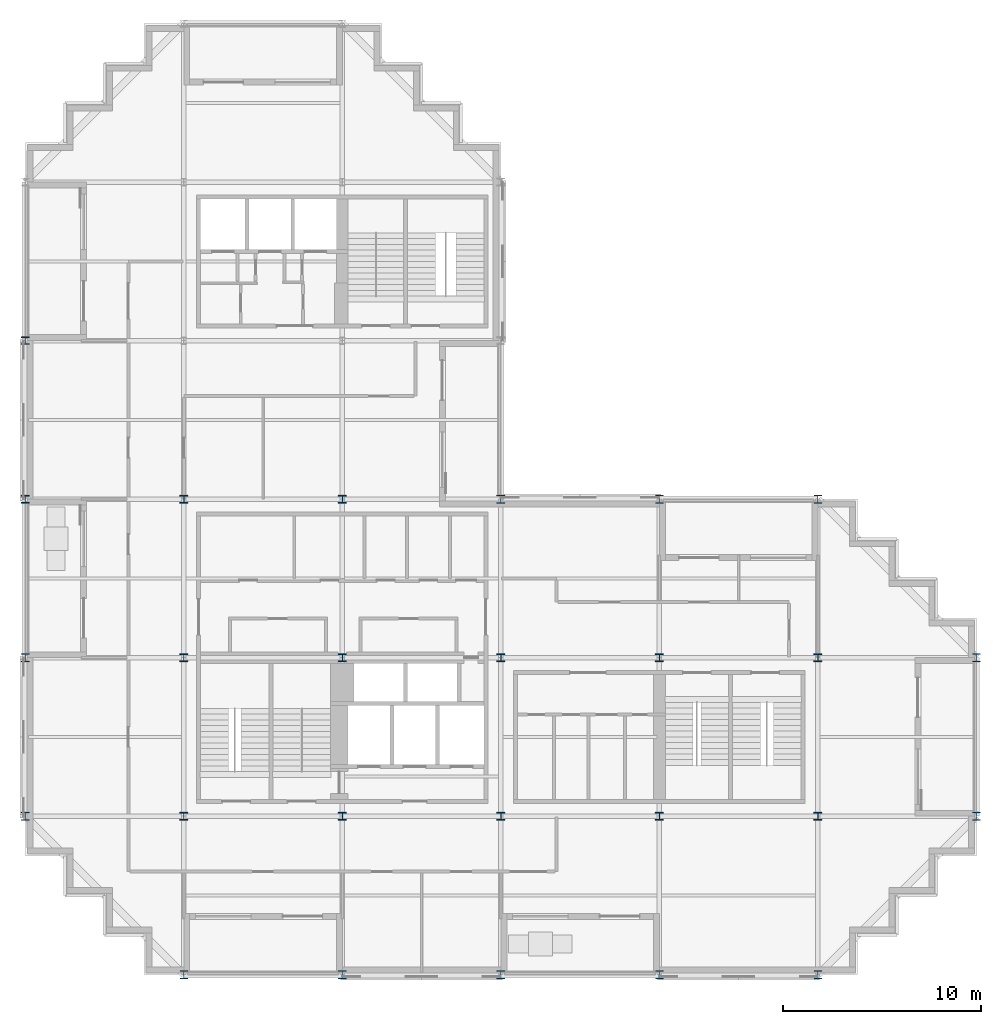
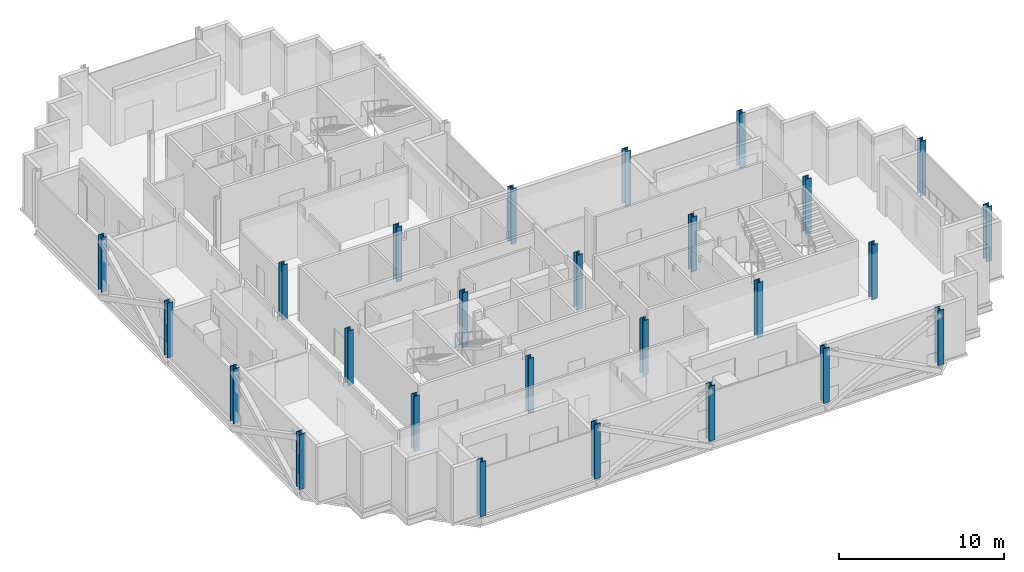
# One storey, part 1 of 11: 26 columns.
"""IFC4 building model written with IfcOpenShell, lengths in metres."""

from ifc_helpers import new_model, si_unit, direction, frame, origin, origin_2d, place, context, subcontext, project, spatial, i_section, extrude, material, material_profile, profile_set, type_object, element, save


model = new_model("IFC4")

# Units and contexts
model_context = context("Model", 3, precision=1e-05, world=origin(), true_north=direction((0.0, 1.0)))
body_context = subcontext(model_context, "Body", "Model", "MODEL_VIEW")
ifc_project = project(units=[si_unit("LENGTHUNIT", "METRE"), si_unit("AREAUNIT", "SQUARE_METRE"), si_unit("VOLUMEUNIT", "CUBIC_METRE"), si_unit("PLANEANGLEUNIT", "RADIAN"), si_unit("MASSUNIT", "GRAM", prefix="KILO")], contexts=[model_context])

# Site, building, storey
site_placement = place(None, origin())
site = spatial("IfcSite", under=ifc_project, at=site_placement, CompositionType="ELEMENT")
building_placement = place(site_placement, origin())
building = spatial("IfcBuilding", under=site, at=building_placement, Name="Immortelle Media Tower", CompositionType="ELEMENT")
storey_placement = place(building_placement, frame((0.0, 0.0, 157.800048828125)))
storey = spatial("IfcBuildingStorey", under=building, at=storey_placement, Name="L32", CompositionType="ELEMENT", Elevation=157.800048828125)

# Columns
ifc_material = material(Name="Steel ASTM A992 Gr 50", Category="steel")
ifc_material_profile_1 = material_profile(ifc_material, i_section(OverallWidth=0.39892578125, OverallDepth=0.385986328125, WebThickness=0.02099609375, FlangeThickness=0.032958984375, at=origin_2d()), Name="W14x176")
ifc_profile_set_1 = profile_set([ifc_material_profile_1], Name="Steel ASTM A992 Gr 50")
column_type_1 = type_object("IfcColumnType", Name="W14x176 column", PredefinedType="COLUMN", material=ifc_profile_set_1)
for number, where, z_axis, x_axis, name in (
    (1, (0.0, 24.0, 0.0), (0.0, 0.0, 1.0), (1.0, 0.0, 0.0), "Column 1/D"),
    (2, (0.0, 32.0, 0.0), (0.0, 0.0, 1.0), (1.0, 0.0, 0.0), "Column 1/E"),
    (3, (8.0, 8.0, 0.0), (0.0, 0.0, 1.0), (1.0, 0.0, 0.0), "Column 2/B"),
    (4, (8.0, 16.0, 0.0), (0.0, 0.0, 1.0), (1.0, 0.0, 0.0), "Column 2/C"),
    (5, (16.0, 8.0, 0.0), (0.0, 0.0, 1.0), (1.0, 0.0, 0.0), "Column 3/B"),
    (6, (16.0, 16.0, 0.0), (0.0, 0.0, 1.0), (1.0, 0.0, 0.0), "Column 3/C"),
    (7, (32.0, 8.0, 0.0), (0.0, 0.0, 1.0), (1.0, 0.0, 0.0), "Column 5/B"),
    (8, (32.0, 16.0, 0.0), (0.0, 0.0, 1.0), (1.0, 0.0, 0.0), "Column 5/C"),
    (9, (40.0, 8.0, 0.0), (0.0, 0.0, 1.0), (1.0, 0.0, 0.0), "Column 6/B"),
    (10, (40.0, 16.0, 0.0), (0.0, 0.0, 1.0), (1.0, 0.0, 0.0), "Column 6/C"),
):
    element("IfcColumn", number, at=place(storey_placement, frame(where, z_axis=z_axis, x_axis=x_axis)), inside=storey, type_object=column_type_1, Name=name, PredefinedType="COLUMN", context=body_context, shape_type="SweptSolid", body=[
        extrude(i_section(OverallWidth=0.39892578125, OverallDepth=0.385986328125, WebThickness=0.02099609375, FlangeThickness=0.032958984375, at=origin_2d()), origin(), (0.0, 0.0, 1.0), 4.050048828125),
    ])
ifc_material_profile_2 = material_profile(ifc_material, i_section(OverallWidth=0.40087890625, OverallDepth=0.39892578125, WebThickness=0.02490234375, FlangeThickness=0.0400390625, at=origin_2d()), Name="W14x211")
ifc_profile_set_2 = profile_set([ifc_material_profile_2], Name="Steel ASTM A992 Gr 50")
column_type_2 = type_object("IfcColumnType", Name="W14x211 column", PredefinedType="COLUMN", material=ifc_profile_set_2)
for number, where, z_axis, x_axis, name in (
    (11, (8.0, 24.0, 0.0), (0.0, 0.0, 1.0), (1.0, 0.0, 0.0), "Column 2/D"),
    (12, (16.0, 24.0, 0.0), (0.0, 0.0, 1.0), (1.0, 0.0, 0.0), "Column 3/D"),
    (13, (24.0, 8.0, 0.0), (0.0, 0.0, 1.0), (1.0, 0.0, 0.0), "Column 4/B"),
    (14, (24.0, 16.0, 0.0), (0.0, 0.0, 1.0), (1.0, 0.0, 0.0), "Column 4/C"),
):
    element("IfcColumn", number, at=place(storey_placement, frame(where, z_axis=z_axis, x_axis=x_axis)), inside=storey, type_object=column_type_2, Name=name, PredefinedType="COLUMN", context=body_context, shape_type="SweptSolid", body=[
        extrude(i_section(OverallWidth=0.40087890625, OverallDepth=0.39892578125, WebThickness=0.02490234375, FlangeThickness=0.0400390625, at=origin_2d()), origin(), (0.0, 0.0, 1.0), 4.050048828125),
    ])
ifc_material_profile_3 = material_profile(ifc_material, i_section(OverallWidth=0.406005859375, OverallDepth=0.4169921875, WebThickness=0.030029296875, FlangeThickness=0.048095703125, at=origin_2d()), Name="W14x257")
ifc_profile_set_3 = profile_set([ifc_material_profile_3], Name="Steel ASTM A992 Gr 50")
column_type_3 = type_object("IfcColumnType", Name="W14x257 column", PredefinedType="COLUMN", material=ifc_profile_set_3)
for number, where, z_axis, x_axis, name in (
    (15, (8.0, 0.0, 0.0), (0.0, 0.0, 1.0), (1.0, 0.0, 0.0), "Column 2/A"),
    (16, (40.0, 24.0, 0.0), (0.0, 0.0, 1.0), (1.0, 0.0, 0.0), "Column 6/D"),
    (17, (48.0, 8.0, 0.0), (0.0, 0.0, 1.0), (1.0, 0.0, 0.0), "Column 7/B"),
    (18, (48.0, 16.0, 0.0), (0.0, 0.0, 1.0), (1.0, 0.0, 0.0), "Column 7/C"),
):
    element("IfcColumn", number, at=place(storey_placement, frame(where, z_axis=z_axis, x_axis=x_axis)), inside=storey, type_object=column_type_3, Name=name, PredefinedType="COLUMN", context=body_context, shape_type="SweptSolid", body=[
        extrude(i_section(OverallWidth=0.406005859375, OverallDepth=0.4169921875, WebThickness=0.030029296875, FlangeThickness=0.048095703125, at=origin_2d()), origin(), (0.0, 0.0, 1.0), 4.050048828125),
    ])
ifc_material_profile_4 = material_profile(ifc_material, i_section(OverallWidth=0.410888671875, OverallDepth=0.43408203125, WebThickness=0.035888671875, FlangeThickness=0.056884765625, at=origin_2d()), Name="W14x311")
ifc_profile_set_4 = profile_set([ifc_material_profile_4], Name="Steel ASTM A992 Gr 50")
column_type_4 = type_object("IfcColumnType", Name="W14x311 column", PredefinedType="COLUMN", material=ifc_profile_set_4)
for number, where, z_axis, x_axis, name in (
    (19, (0.0, 8.0, 0.0), (0.0, 0.0, 1.0), (1.0, 0.0, 0.0), "Column 1/B"),
    (20, (0.0, 16.0, 0.0), (0.0, 0.0, 1.0), (1.0, 0.0, 0.0), "Column 1/C"),
    (21, (16.0, 0.0, 0.0), (0.0, 0.0, 1.0), (1.0, 0.0, 0.0), "Column 3/A"),
    (22, (24.0, 0.0, 0.0), (0.0, 0.0, 1.0), (1.0, 0.0, 0.0), "Column 4/A"),
    (23, (24.0, 24.0, 0.0), (0.0, 0.0, 1.0), (1.0, 0.0, 0.0), "Column 4/D"),
    (24, (32.0, 0.0, 0.0), (0.0, 0.0, 1.0), (1.0, 0.0, 0.0), "Column 5/A"),
    (25, (32.0, 24.0, 0.0), (0.0, 0.0, 1.0), (1.0, 0.0, 0.0), "Column 5/D"),
    (26, (40.0, 0.0, 0.0), (0.0, 0.0, 1.0), (1.0, 0.0, 0.0), "Column 6/A"),
):
    element("IfcColumn", number, at=place(storey_placement, frame(where, z_axis=z_axis, x_axis=x_axis)), inside=storey, type_object=column_type_4, Name=name, PredefinedType="COLUMN", context=body_context, shape_type="SweptSolid", body=[
        extrude(i_section(OverallWidth=0.410888671875, OverallDepth=0.43408203125, WebThickness=0.035888671875, FlangeThickness=0.056884765625, at=origin_2d()), origin(), (0.0, 0.0, 1.0), 4.050048828125),
    ])

save(model, "model.ifc")
